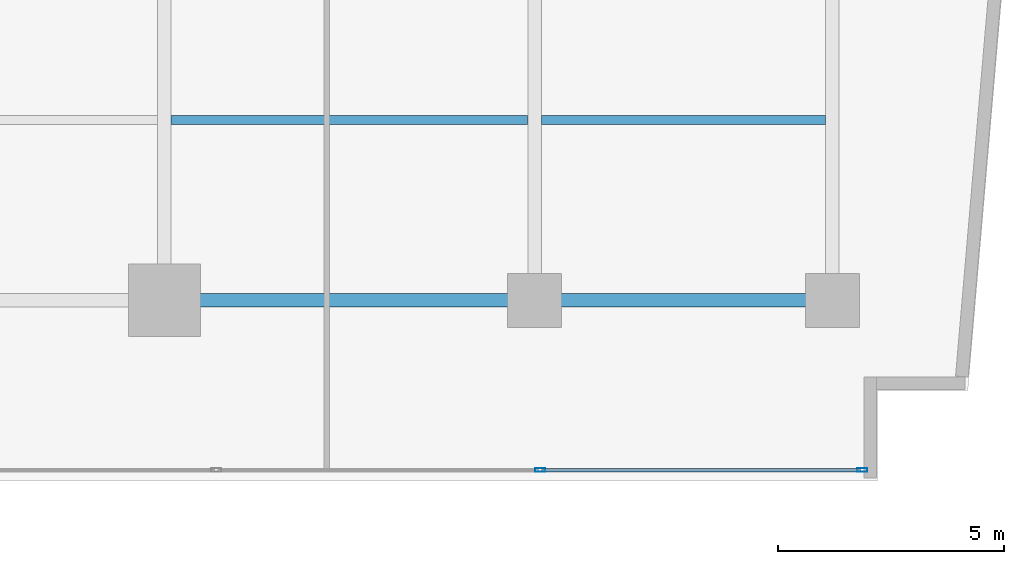
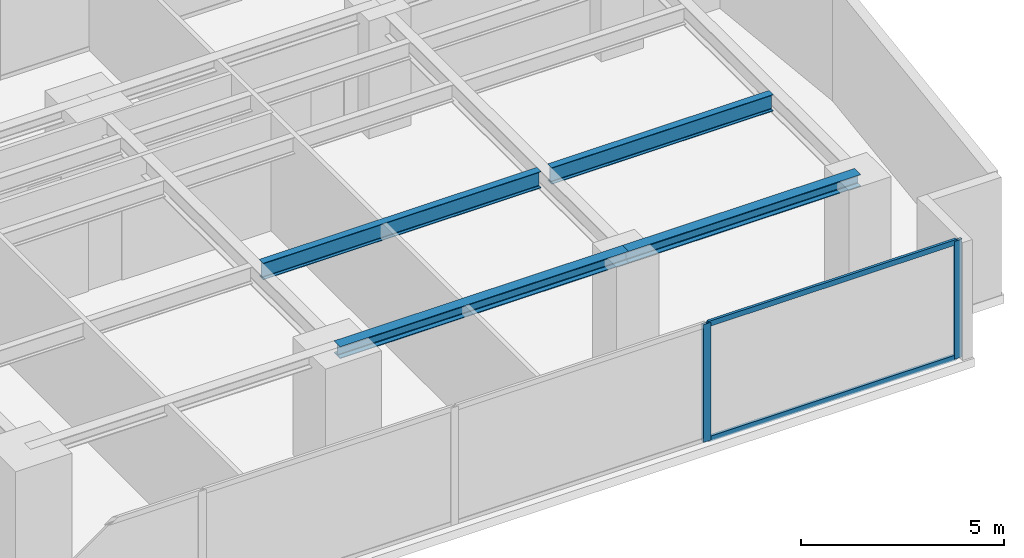
# One storey, part 11 of 30: 4 beams, 4 members, 1 element without a shape of its own.
"""IFC4 building model written with IfcOpenShell, lengths in metres."""

from ifc_helpers import new_model, si_unit, direction, frame, origin, origin_with_axes, origin_2d, place, context, subcontext, project, spatial, hollow_rectangle, i_section, extrude, source, transform, mapped, material, layer, layer_set, material_profile, profile_set, type_object, element, aggregate, save


model = new_model("IFC4")

# Units and contexts
model_context = context("Model", 3, precision=1e-05, world=origin(), true_north=direction((0.0, 1.0)))
body_context = subcontext(model_context, "Body", "Model", "MODEL_VIEW")
ifc_project = project(units=[si_unit("LENGTHUNIT", "METRE"), si_unit("AREAUNIT", "SQUARE_METRE"), si_unit("VOLUMEUNIT", "CUBIC_METRE"), si_unit("PLANEANGLEUNIT", "RADIAN"), si_unit("MASSUNIT", "GRAM", prefix="KILO")], contexts=[model_context])

# Site, building, storey
site_placement = place(None, origin())
site = spatial("IfcSite", under=ifc_project, at=site_placement, CompositionType="ELEMENT")
building_placement = place(site_placement, origin())
building = spatial("IfcBuilding", under=site, at=building_placement, Name="Kolvaren Waterfront Exchange", CompositionType="ELEMENT")
storey_placement = place(building_placement, frame((0.0, 0.0, 52.39990234375)))
storey = spatial("IfcBuildingStorey", under=building, at=storey_placement, Name="L13", CompositionType="ELEMENT", Elevation=52.39990234375)

# Beams
ifc_material_1 = material(Name="Steel S355", Category="steel")
ifc_material_profile_1 = material_profile(ifc_material_1, i_section(OverallWidth=0.300048828125, OverallDepth=0.360107421875, WebThickness=0.012451171875, FlangeThickness=0.0224609375, FilletRadius=0.027099609375, at=origin_2d()), Name="HEB360")
ifc_profile_set_1 = profile_set([ifc_material_profile_1], Name="Steel S355")
beam_type_1 = type_object("IfcBeamType", Name="STR-BM-HEB360", PredefinedType="SPANDREL", material=ifc_profile_set_1)
beam_1_placement = place(storey_placement, frame((45.60009765625, 5.199951171875, 3.360107421875), z_axis=(1.0, 0.0, 0.0), x_axis=(0.0, 1.0, 0.0)))
element("IfcBeam", 1, at=beam_1_placement, inside=storey, type_object=beam_type_1, Name="L13 east-arm spandrel S4", PredefinedType="SPANDREL", context=body_context, shape_type="SweptSolid", body=[
    extrude(i_section(OverallWidth=0.300048828125, OverallDepth=0.360107421875, WebThickness=0.012451171875, FlangeThickness=0.0224609375, FilletRadius=0.027099609375, at=origin_2d()), origin(), (0.0, 0.0, 1.0), 8.199951171875),
])
beam_2_placement = place(storey_placement, frame((53.800048828125, 5.199951171875, 3.360107421875), z_axis=(1.0, 0.0, 0.0), x_axis=(0.0, 1.0, 0.0)))
element("IfcBeam", 2, at=beam_2_placement, inside=storey, type_object=beam_type_1, Name="L13 east-arm spandrel S5", PredefinedType="SPANDREL", context=body_context, shape_type="SweptSolid", body=[
    extrude(i_section(OverallWidth=0.300048828125, OverallDepth=0.360107421875, WebThickness=0.012451171875, FlangeThickness=0.0224609375, FilletRadius=0.027099609375, at=origin_2d()), origin(), (0.0, 0.0, 1.0), 6.599853515625),
])
ifc_material_profile_2 = material_profile(ifc_material_1, i_section(OverallWidth=0.199951171875, OverallDepth=0.5, WebThickness=0.01025390625, FlangeThickness=0.01611328125, FilletRadius=0.02099609375, at=origin_2d()), Name="IPE500")
ifc_profile_set_2 = profile_set([ifc_material_profile_2], Name="Steel S355")
beam_type_2 = type_object("IfcBeamType", Name="STR-BM-IPE500", PredefinedType="JOIST", material=ifc_profile_set_2)
beam_3_placement = place(storey_placement, frame((45.751953125, 9.199951171875, 3.2900390625), z_axis=(1.0, 0.0, 0.0), x_axis=(0.0, 1.0, 0.0)))
element("IfcBeam", 3, at=beam_3_placement, inside=storey, type_object=beam_type_2, Name="L13 east-arm composite joist 4B", PredefinedType="JOIST", context=body_context, shape_type="SweptSolid", body=[
    extrude(i_section(OverallWidth=0.199951171875, OverallDepth=0.5, WebThickness=0.01025390625, FlangeThickness=0.01611328125, FilletRadius=0.02099609375, at=origin_2d()), origin(), (0.0, 0.0, 1.0), 7.89599609375),
])
beam_4_placement = place(storey_placement, frame((53.951904296875, 9.199951171875, 3.2900390625), z_axis=(1.0, 0.0, 0.0), x_axis=(0.0, 1.0, 0.0)))
element("IfcBeam", 4, at=beam_4_placement, inside=storey, type_object=beam_type_2, Name="L13 east-arm composite joist 5B", PredefinedType="JOIST", context=body_context, shape_type="SweptSolid", body=[
    extrude(i_section(OverallWidth=0.199951171875, OverallDepth=0.5, WebThickness=0.01025390625, FlangeThickness=0.01611328125, FilletRadius=0.02099609375, at=origin_2d()), origin(), (0.0, 0.0, 1.0), 6.296142578125),
])

# Curtain wall, members
ifc_material_2 = material(Name="Anodised bronze aluminium 6063-T6", Category="aluminium")
ifc_layer = layer(ifc_material_2, 0.219970703125, Name="Anodised bronze aluminium 6063-T6")
ifc_layer_set = layer_set([ifc_layer], Name="Anodised bronze aluminium 6063-T6")
curtain_wall_type = type_object("IfcCurtainWallType", Name="ARC-CW-SYS1", PredefinedType="USERDEFINED", material=ifc_layer_set)
curtain_wall_placement = place(storey_placement, origin())
curtain_wall = element("IfcCurtainWall", 5, at=curtain_wall_placement, inside=storey, type_object=curtain_wall_type, Name="L13 stick curtain wall CW1 (CW-L13-S)", ObjectType="STICK CURTAIN WALL", PredefinedType="USERDEFINED")
ifc_material_3 = material(Name="Anodised aluminium 6063-T6", Category="aluminium")
ifc_material_profile_3 = material_profile(ifc_material_3, hollow_rectangle(XDim=0.074951171875, YDim=0.159912109375, WallThickness=0.00439453125, at=origin_2d()), Name="ALU-TRN-160x75x4.5")
ifc_profile_set_3 = profile_set([ifc_material_profile_3], Name="Anodised aluminium 6063-T6")
member_type_1 = type_object("IfcMemberType", Name="ARC-CWT-160", PredefinedType="USERDEFINED", material=ifc_profile_set_3)
shared_shape_1 = source(origin_with_axes(), body_context, "Body", "SweptSolid", [
    extrude(hollow_rectangle(XDim=0.074951171875, YDim=0.159912109375, WallThickness=0.00439453125, at=origin_2d()), origin(), (0.0, 0.0, 1.0), 7.054931640625),
])
member_1_placement = place(storey_placement, frame((53.965087890625, 1.43994140625, 0.03759765625), z_axis=(1.0, 0.0, 0.0), x_axis=(0.0, 1.0, 0.0)))
member_1 = element("IfcMember", 6, at=member_1_placement, type_object=member_type_1, Name="CW1 transom 8.1", ObjectType="TRANSOM", PredefinedType="USERDEFINED", context=body_context, shape_type="MappedRepresentation", body=[
    mapped(shared_shape_1, transform((0.0, 0.0, 0.0), x_axis=(1.0, 0.0, 0.0), y_axis=(0.0, 1.0, 0.0), z_axis=(0.0, 0.0, 1.0), scale=1.0)),
])
member_2_placement = place(storey_placement, frame((53.965087890625, 1.43994140625, 3.502685546875), z_axis=(1.0, 0.0, 0.0), x_axis=(0.0, 1.0, 0.0)))
member_2 = element("IfcMember", 7, at=member_2_placement, type_object=member_type_1, Name="CW1 transom 8.2", ObjectType="TRANSOM", PredefinedType="USERDEFINED", context=body_context, shape_type="MappedRepresentation", body=[
    mapped(shared_shape_1, transform((0.0, 0.0, 0.0), x_axis=(1.0, 0.0, 0.0), y_axis=(0.0, 1.0, 0.0), z_axis=(0.0, 0.0, 1.0), scale=1.0)),
])
ifc_material_profile_4 = material_profile(ifc_material_3, hollow_rectangle(XDim=0.080078125, YDim=0.219970703125, WallThickness=0.0048828125, at=origin_2d()), Name="ALU-MUL-220x80x5")
ifc_profile_set_4 = profile_set([ifc_material_profile_4], Name="Anodised aluminium 6063-T6")
member_type_2 = type_object("IfcMemberType", Name="ARC-CWM-220", PredefinedType="MULLION", material=ifc_profile_set_4)
shared_shape_2 = source(origin_with_axes(), body_context, "Body", "SweptSolid", [
    extrude(hollow_rectangle(XDim=0.080078125, YDim=0.219970703125, WallThickness=0.0048828125, at=origin_2d()), origin(), (0.0, 0.0, 1.0), 3.5400390625),
])
member_3_placement = place(storey_placement, frame((53.925048828125, 1.43994140625, 0.0), z_axis=(0.0, 0.0, 1.0), x_axis=(0.0, 1.0, 0.0)))
member_3 = element("IfcMember", 8, at=member_3_placement, type_object=member_type_2, Name="CW1 mullion 8", PredefinedType="MULLION", context=body_context, shape_type="MappedRepresentation", body=[
    mapped(shared_shape_2, transform((0.0, 0.0, 0.0), x_axis=(1.0, 0.0, 0.0), y_axis=(0.0, 1.0, 0.0), z_axis=(0.0, 0.0, 1.0), scale=1.0)),
])
member_4_placement = place(storey_placement, frame((61.06005859375, 1.43994140625, 0.0), z_axis=(0.0, 0.0, 1.0), x_axis=(0.0, 1.0, 0.0)))
member_4 = element("IfcMember", 9, at=member_4_placement, type_object=member_type_2, Name="CW1 mullion 9", PredefinedType="MULLION", context=body_context, shape_type="MappedRepresentation", body=[
    mapped(shared_shape_2, transform((0.0, 0.0, 0.0), x_axis=(1.0, 0.0, 0.0), y_axis=(0.0, 1.0, 0.0), z_axis=(0.0, 0.0, 1.0), scale=1.0)),
])
aggregate(curtain_wall, [member_3, member_4, member_1, member_2])

save(model, "model.ifc")
